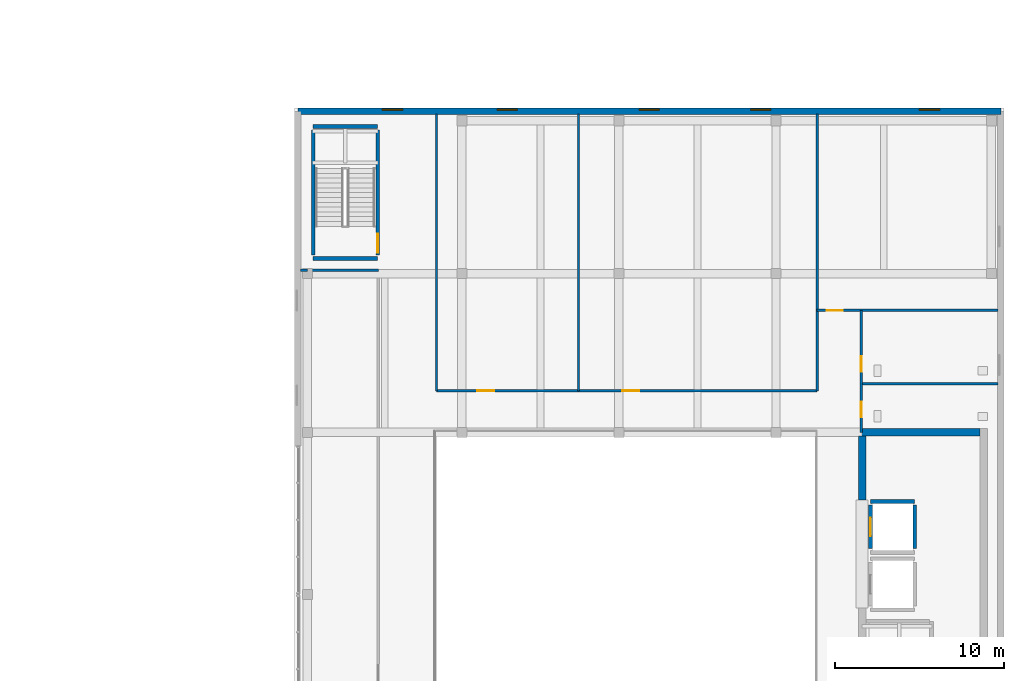
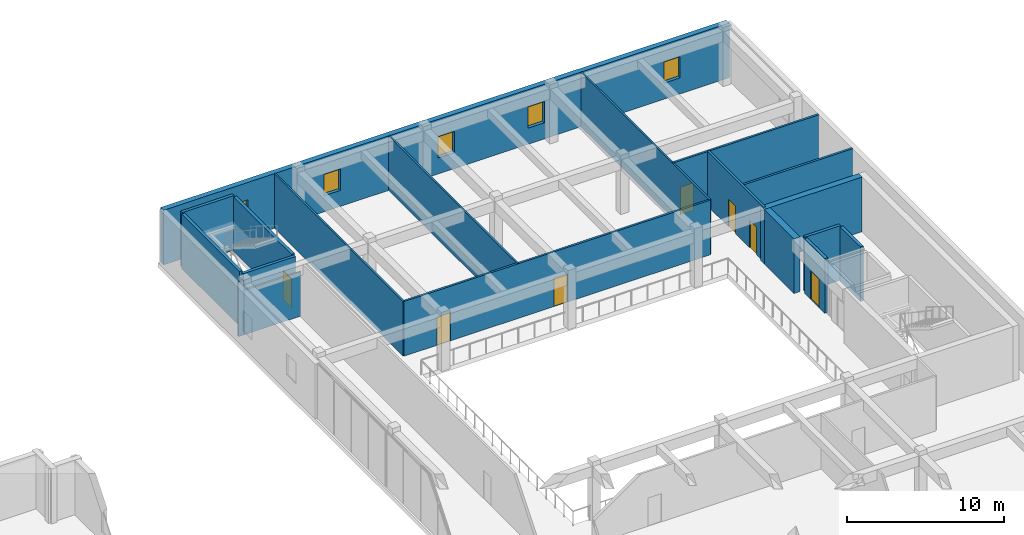
# One storey, part 11 of 24: 19 walls, 7 doors, 5 windows, 12 openings.
"""IFC4 building model written with IfcOpenShell, lengths in metres."""

from ifc_helpers import new_model, si_unit, direction, frame, frame_2d, origin, place, context, subcontext, project, spatial, rectangle, extrude, material, layer, layer_set, type_object, element, fill, save


model = new_model("IFC4")

# Units and contexts
model_context = context("Model", 3, precision=1e-05, world=origin(), true_north=direction((0.0, 1.0)))
body_context = subcontext(model_context, "Body", "Model", "MODEL_VIEW")
ifc_project = project(units=[si_unit("LENGTHUNIT", "METRE"), si_unit("AREAUNIT", "SQUARE_METRE"), si_unit("VOLUMEUNIT", "CUBIC_METRE"), si_unit("PLANEANGLEUNIT", "RADIAN"), si_unit("MASSUNIT", "GRAM", prefix="KILO")], contexts=[model_context])

# Site, building, storey
site_placement = place(None, origin())
site = spatial("IfcSite", under=ifc_project, at=site_placement, CompositionType="ELEMENT")
building_placement = place(site_placement, origin())
building = spatial("IfcBuilding", under=site, at=building_placement, Name="Norrvale University Quadrangle", CompositionType="ELEMENT")
storey_placement = place(building_placement, frame((0.0, 0.0, 15.0)))
storey = spatial("IfcBuildingStorey", under=building, at=storey_placement, Name="L03", CompositionType="ELEMENT", Elevation=15.0)

# Walls
ifc_material_1 = material(Name="Standard Academic Gypsum Partition")
ifc_layer_1 = layer(ifc_material_1, 0.125, Name="Standard Academic Gypsum Partition")
ifc_layer_set_1 = layer_set([ifc_layer_1], Name="Standard Academic Gypsum Partition")
wall_type_1 = type_object("IfcWallType", Name="Wall Gypsum Academic 125", PredefinedType="PARTITIONING", material=ifc_layer_set_1)
wall_1_placement = place(storey_placement, frame((85.550048828125, 48.0, 0.0), z_axis=(0.0, 0.0, 1.0), x_axis=(1.0, 0.0, 0.0)))
element("IfcWall", 1, at=wall_1_placement, inside=storey, type_object=wall_type_1, Name="Interior Partition WL-L03-LWN", PredefinedType="PARTITIONING", context=body_context, shape_type="SweptSolid", body=[
    extrude(rectangle(XDim=0.39990234375, YDim=0.125, at=frame_2d((0.199951171875, 0.0))), origin(), (0.0, 0.0, 1.0), 4.25),
])
wall_2_placement = place(storey_placement, frame((85.949951171875, 48.0, 0.0), z_axis=(0.0, 0.0, 1.0), x_axis=(1.0, 0.0, 0.0)))
element("IfcWall", 2, at=wall_2_placement, inside=storey, type_object=wall_type_1, Name="Interior Partition WL-L03-LWN-B2", PredefinedType="PARTITIONING", context=body_context, shape_type="SweptSolid", body=[
    extrude(rectangle(XDim=4.199951171875, YDim=0.125, at=frame_2d((2.10009765625, 0.0))), origin(), (0.0, 0.0, 1.0), 3.449951171875),
])
for number, where, z_axis, x_axis, name in (
    (3, (93.60009765625, 40.860107421875, 0.0), (0.0, 0.0, 1.0), (0.0, 1.0, 0.0), "Interior Partition WL-L03-LSN-W"),
    (4, (102.0, 40.860107421875, 0.0), (0.0, 0.0, 1.0), (0.0, 1.0, 0.0), "Interior Partition WL-L03-LSN-M"),
    (5, (116.139892578125, 40.860107421875, 0.0), (0.0, 0.0, 1.0), (0.0, 1.0, 0.0), "Interior Partition WL-L03-LSN-E"),
):
    element("IfcWall", number, at=place(storey_placement, frame(where, z_axis=z_axis, x_axis=x_axis)), inside=storey, type_object=wall_type_1, Name=name, PredefinedType="PARTITIONING", context=body_context, shape_type="SweptSolid", body=[
        extrude(rectangle(XDim=16.389892578125, YDim=0.125, at=frame_2d((8.19482421875, 0.0))), origin(), (0.0, 0.0, 1.0), 4.25),
    ])

# Wall, openings, doors
ifc_material_2 = material(Name="Fire-Rated Gypsum Stud Partition")
ifc_layer_2 = layer(ifc_material_2, 0.14990234375, Name="Fire-Rated Gypsum Stud Partition")
ifc_layer_set_2 = layer_set([ifc_layer_2], Name="Fire-Rated Gypsum Stud Partition")
wall_type_2 = type_object("IfcWallType", Name="Wall Gypsum Corridor 150", PredefinedType="PARTITIONING", material=ifc_layer_set_2)
wall_3_placement = place(storey_placement, frame((93.60009765625, 40.860107421875, 0.0), z_axis=(0.0, 0.0, 1.0), x_axis=(1.0, 0.0, 0.0)))
wall_3 = element("IfcWall", 6, at=wall_3_placement, inside=storey, type_object=wall_type_2, Name="Interior Partition WL-L03-LSN-S", PredefinedType="PARTITIONING", context=body_context, shape_type="SweptSolid", body=[
    extrude(rectangle(XDim=22.539794921875, YDim=0.14990234375, at=frame_2d((11.27001953125, 0.0))), origin(), (0.0, 0.0, 1.0), 4.25),
])
opening_1_placement = place(wall_3_placement, frame((2.39990234375, 0.0, 0.0)))
opening_1 = element("IfcOpeningElement", 7, at=opening_1_placement, cuts=wall_3, Name="Opening D04", PredefinedType="OPENING", context=body_context, shape_type="SweptSolid", body=[
    extrude(rectangle(XDim=1.0, YDim=2.199951171875, at=frame_2d((0.5, 1.10009765625))), frame((0.0, 0.0869140625, 0.0), z_axis=(0.0, -1.0, 0.0), x_axis=(1.0, 0.0, 0.0)), (0.0, 0.0, 1.0), 0.173828125),
])
opening_2_placement = place(wall_3_placement, frame((11.0, 0.0, 0.0)))
opening_2 = element("IfcOpeningElement", 8, at=opening_2_placement, cuts=wall_3, Name="Opening D04", PredefinedType="OPENING", context=body_context, shape_type="SweptSolid", body=[
    extrude(rectangle(XDim=1.0, YDim=2.199951171875, at=frame_2d((0.5, 1.10009765625))), frame((0.0, 0.0869140625, 0.0), z_axis=(0.0, -1.0, 0.0), x_axis=(1.0, 0.0, 0.0)), (0.0, 0.0, 1.0), 0.173828125),
])
ifc_material_3 = material(Name="Solid-Core Oak Fire Door", Category="wood")
door_type_1 = type_object("IfcDoorType", Name="Door Corridor 1000x2200", OperationType="NOTDEFINED", PredefinedType="DOOR", material=ifc_material_3)
door_1_placement = place(opening_1_placement, origin())
door_1 = element("IfcDoor", 9, at=door_1_placement, inside=storey, type_object=door_type_1, Name="Door Corridor 1000x2200 DR-L03-LN1", OperationType="SINGLE_SWING_LEFT", OverallHeight=2.199951171875, OverallWidth=1.0, PredefinedType="DOOR", context=body_context, shape_type="SweptSolid", body=[
    extrude(rectangle(XDim=1.0, YDim=2.199951171875, at=frame_2d((0.5, 1.10009765625))), frame((0.0, 0.02490234375, 0.0), z_axis=(0.0, -1.0, 0.0), x_axis=(1.0, 0.0, 0.0)), (0.0, 0.0, 1.0), 0.050048828125),
])
fill(opening_1, door_1)
door_2_placement = place(opening_2_placement, origin())
door_2 = element("IfcDoor", 10, at=door_2_placement, inside=storey, type_object=door_type_1, Name="Door Corridor 1000x2200 DR-L03-LN2", OperationType="SINGLE_SWING_RIGHT", OverallHeight=2.199951171875, OverallWidth=1.0, PredefinedType="DOOR", context=body_context, shape_type="SweptSolid", body=[
    extrude(rectangle(XDim=1.0, YDim=2.199951171875, at=frame_2d((0.5, 1.10009765625))), frame((0.0, 0.02490234375, 0.0), z_axis=(0.0, -1.0, 0.0), x_axis=(1.0, 0.0, 0.0)), (0.0, 0.0, 1.0), 0.050048828125),
])
fill(opening_2, door_2)

# Wall, opening, door
wall_4_placement = place(storey_placement, frame((116.139892578125, 45.6201171875, 0.0), z_axis=(0.0, 0.0, 1.0), x_axis=(1.0, 0.0, 0.0)))
wall_4 = element("IfcWall", 11, at=wall_4_placement, inside=storey, type_object=wall_type_2, Name="Interior Partition WL-L03-LNS-S", PredefinedType="PARTITIONING", context=body_context, shape_type="SweptSolid", body=[
    extrude(rectangle(XDim=10.710205078125, YDim=0.14990234375, at=frame_2d((5.35498046875, 0.0))), origin(), (0.0, 0.0, 1.0), 4.25),
])
opening_3_placement = place(wall_4_placement, frame((0.550048828125, 0.0, 0.0)))
opening_3 = element("IfcOpeningElement", 12, at=opening_3_placement, cuts=wall_4, Name="Opening D07", PredefinedType="OPENING", context=body_context, shape_type="SweptSolid", body=[
    extrude(rectangle(XDim=0.949951171875, YDim=2.14990234375, at=frame_2d((0.47509765625, 1.074951171875))), frame((0.0, 0.0869140625, 0.0), z_axis=(0.0, -1.0, 0.0), x_axis=(1.0, 0.0, 0.0)), (0.0, 0.0, 1.0), 0.173828125),
])
ifc_material_4 = material(Name="Solid-Core Maple Door", Category="wood")
door_type_2 = type_object("IfcDoorType", Name="Door Office 950x2150", OperationType="NOTDEFINED", PredefinedType="DOOR", material=ifc_material_4)
door_3_placement = place(opening_3_placement, origin())
door_3 = element("IfcDoor", 13, at=door_3_placement, inside=storey, type_object=door_type_2, Name="Door Office 950x2150 DR-L03-LNS", OperationType="SINGLE_SWING_LEFT", OverallHeight=2.14990234375, OverallWidth=0.949951171875, PredefinedType="DOOR", context=body_context, shape_type="SweptSolid", body=[
    extrude(rectangle(XDim=0.949951171875, YDim=2.14990234375, at=frame_2d((0.47509765625, 1.074951171875))), frame((0.0, 0.02490234375, 0.0), z_axis=(0.0, -1.0, 0.0), x_axis=(1.0, 0.0, 0.0)), (0.0, 0.0, 1.0), 0.050048828125),
])
fill(opening_3, door_3)

# Wall
ifc_material_5 = material(Name="Sanitary Chase Gypsum Partition")
ifc_layer_3 = layer(ifc_material_5, 0.1650390625, Name="Sanitary Chase Gypsum Partition")
ifc_layer_set_3 = layer_set([ifc_layer_3], Name="Sanitary Chase Gypsum Partition")
wall_type_3 = type_object("IfcWallType", Name="Wall Gypsum Sanitary 165", PredefinedType="PLUMBINGWALL", material=ifc_layer_set_3)
wall_5_placement = place(storey_placement, frame((118.75, 41.280029296875, 0.0), z_axis=(0.0, 0.0, 1.0), x_axis=(1.0, 0.0, 0.0)))
element("IfcWall", 14, at=wall_5_placement, inside=storey, type_object=wall_type_3, Name="Interior Partition WL-L03-LWC-M1", PredefinedType="PLUMBINGWALL", context=body_context, shape_type="SweptSolid", body=[
    extrude(rectangle(XDim=8.10009765625, YDim=0.1650390625, at=frame_2d((4.050048828125, 0.0))), origin(), (0.0, 0.0, 1.0), 4.25),
])

# Wall, openings, doors
wall_6_placement = place(storey_placement, frame((118.75, 38.39990234375, 0.0), z_axis=(0.0, 0.0, 1.0), x_axis=(0.0, 1.0, 0.0)))
wall_6 = element("IfcWall", 15, at=wall_6_placement, inside=storey, type_object=wall_type_3, Name="Interior Partition WL-L03-LWC-W", PredefinedType="PLUMBINGWALL", context=body_context, shape_type="SweptSolid", body=[
    extrude(rectangle(XDim=7.22021484375, YDim=0.1650390625, at=frame_2d((3.610107421875, 0.0))), origin(), (0.0, 0.0, 1.0), 4.25),
])
opening_4_placement = place(wall_6_placement, frame((0.89990234375, 0.0, 0.0)))
opening_4 = element("IfcOpeningElement", 16, at=opening_4_placement, cuts=wall_6, Name="Opening D08", PredefinedType="OPENING", context=body_context, shape_type="SweptSolid", body=[
    extrude(rectangle(XDim=0.919921875, YDim=2.14990234375, at=frame_2d((0.4599609375, 1.074951171875))), frame((0.0, 0.094482421875, 0.0), z_axis=(0.0, -1.0, 0.0), x_axis=(1.0, 0.0, 0.0)), (0.0, 0.0, 1.0), 0.18896484375),
])
opening_5_placement = place(wall_6_placement, frame((3.60009765625, 0.0, 0.0)))
opening_5 = element("IfcOpeningElement", 17, at=opening_5_placement, cuts=wall_6, Name="Opening D08", PredefinedType="OPENING", context=body_context, shape_type="SweptSolid", body=[
    extrude(rectangle(XDim=0.919921875, YDim=2.14990234375, at=frame_2d((0.4599609375, 1.074951171875))), frame((0.0, 0.094482421875, 0.0), z_axis=(0.0, -1.0, 0.0), x_axis=(1.0, 0.0, 0.0)), (0.0, 0.0, 1.0), 0.18896484375),
])
ifc_material_6 = material(Name="Laminate Washroom Door", Category="wood")
door_type_3 = type_object("IfcDoorType", Name="Door Washroom 920x2150", OperationType="NOTDEFINED", PredefinedType="DOOR", material=ifc_material_6)
door_4_placement = place(opening_4_placement, origin())
door_4 = element("IfcDoor", 18, at=door_4_placement, inside=storey, type_object=door_type_3, Name="Door Washroom 920x2150 DR-L03-LWC1", OperationType="SINGLE_SWING_LEFT", OverallHeight=2.14990234375, OverallWidth=0.919921875, PredefinedType="DOOR", context=body_context, shape_type="SweptSolid", body=[
    extrude(rectangle(XDim=0.919921875, YDim=2.14990234375, at=frame_2d((0.4599609375, 1.074951171875))), frame((0.0, 0.02490234375, 0.0), z_axis=(0.0, -1.0, 0.0), x_axis=(1.0, 0.0, 0.0)), (0.0, 0.0, 1.0), 0.050048828125),
])
fill(opening_4, door_4)
door_5_placement = place(opening_5_placement, origin())
door_5 = element("IfcDoor", 19, at=door_5_placement, inside=storey, type_object=door_type_3, Name="Door Washroom 920x2150 DR-L03-LWC2", OperationType="SINGLE_SWING_RIGHT", OverallHeight=2.14990234375, OverallWidth=0.919921875, PredefinedType="DOOR", context=body_context, shape_type="SweptSolid", body=[
    extrude(rectangle(XDim=0.919921875, YDim=2.14990234375, at=frame_2d((0.4599609375, 1.074951171875))), frame((0.0, 0.02490234375, 0.0), z_axis=(0.0, -1.0, 0.0), x_axis=(1.0, 0.0, 0.0)), (0.0, 0.0, 1.0), 0.050048828125),
])
fill(opening_5, door_5)

# Wall, openings, windows
ifc_material_7 = material(Name="Buff Norman Clay Brick Masonry", Category="masonry")
ifc_layer_4 = layer(ifc_material_7, 0.3798828125, Name="Buff Norman Clay Brick Masonry")
ifc_layer_set_4 = layer_set([ifc_layer_4], Name="Buff Norman Clay Brick Masonry")
wall_type_4 = type_object("IfcWallType", Name="Wall Lib Brick 380", PredefinedType="SOLIDWALL", material=ifc_layer_set_4)
wall_7_placement = place(storey_placement, frame((85.389892578125, 57.409912109375, 0.0), z_axis=(0.0, 0.0, 1.0), x_axis=(1.0, 0.0, 0.0)))
wall_7 = element("IfcWall", 20, at=wall_7_placement, inside=storey, type_object=wall_type_4, Name="Central Library North Brick Facade L03", PredefinedType="SOLIDWALL", context=body_context, shape_type="SweptSolid", body=[
    extrude(rectangle(XDim=41.6201171875, YDim=0.3798828125, at=frame_2d((20.81005859375, 0.0))), origin(), (0.0, 0.0, 1.0), 4.25),
])
opening_6_placement = place(wall_7_placement, frame((5.0, 0.0, 1.25)))
opening_6 = element("IfcOpeningElement", 21, at=opening_6_placement, cuts=wall_7, Name="Opening W07", PredefinedType="OPENING", context=body_context, shape_type="SweptSolid", body=[
    extrude(rectangle(XDim=1.199951171875, YDim=1.64990234375, at=frame_2d((0.60009765625, 0.824951171875))), frame((0.0, 0.201904296875, 0.0), z_axis=(0.0, -1.0, 0.0), x_axis=(1.0, 0.0, 0.0)), (0.0, 0.0, 1.0), 0.40380859375),
])
opening_7_placement = place(wall_7_placement, frame((11.800048828125, 0.0, 1.25)))
opening_7 = element("IfcOpeningElement", 22, at=opening_7_placement, cuts=wall_7, Name="Opening W07", PredefinedType="OPENING", context=body_context, shape_type="SweptSolid", body=[
    extrude(rectangle(XDim=1.199951171875, YDim=1.64990234375, at=frame_2d((0.60009765625, 0.824951171875))), frame((0.0, 0.201904296875, 0.0), z_axis=(0.0, -1.0, 0.0), x_axis=(1.0, 0.0, 0.0)), (0.0, 0.0, 1.0), 0.40380859375),
])
opening_8_placement = place(wall_7_placement, frame((20.199951171875, 0.0, 1.25)))
opening_8 = element("IfcOpeningElement", 23, at=opening_8_placement, cuts=wall_7, Name="Opening W07", PredefinedType="OPENING", context=body_context, shape_type="SweptSolid", body=[
    extrude(rectangle(XDim=1.199951171875, YDim=1.64990234375, at=frame_2d((0.60009765625, 0.824951171875))), frame((0.0, 0.201904296875, 0.0), z_axis=(0.0, -1.0, 0.0), x_axis=(1.0, 0.0, 0.0)), (0.0, 0.0, 1.0), 0.40380859375),
])
opening_9_placement = place(wall_7_placement, frame((26.800048828125, 0.0, 1.25)))
opening_9 = element("IfcOpeningElement", 24, at=opening_9_placement, cuts=wall_7, Name="Opening W07", PredefinedType="OPENING", context=body_context, shape_type="SweptSolid", body=[
    extrude(rectangle(XDim=1.199951171875, YDim=1.64990234375, at=frame_2d((0.60009765625, 0.824951171875))), frame((0.0, 0.201904296875, 0.0), z_axis=(0.0, -1.0, 0.0), x_axis=(1.0, 0.0, 0.0)), (0.0, 0.0, 1.0), 0.40380859375),
])
opening_10_placement = place(wall_7_placement, frame((36.800048828125, 0.0, 1.25)))
opening_10 = element("IfcOpeningElement", 25, at=opening_10_placement, cuts=wall_7, Name="Opening W07", PredefinedType="OPENING", context=body_context, shape_type="SweptSolid", body=[
    extrude(rectangle(XDim=1.199951171875, YDim=1.64990234375, at=frame_2d((0.60009765625, 0.824951171875))), frame((0.0, 0.201904296875, 0.0), z_axis=(0.0, -1.0, 0.0), x_axis=(1.0, 0.0, 0.0)), (0.0, 0.0, 1.0), 0.40380859375),
])
ifc_material_8 = material(Name="UV-Filtered Triple Glazing", Category="glass")
window_type = type_object("IfcWindowType", Name="Window Library Stack 1200x1800", PartitioningType="SINGLE_PANEL", PredefinedType="WINDOW", material=ifc_material_8)
window_1_placement = place(opening_6_placement, origin())
window_1 = element("IfcWindow", 26, at=window_1_placement, inside=storey, type_object=window_type, Name="Window Library Stack 1200x1800 WIN-L03-LN-01", OverallHeight=1.64990234375, OverallWidth=1.199951171875, PartitioningType="SINGLE_PANEL", PredefinedType="WINDOW", context=body_context, shape_type="SweptSolid", body=[
    extrude(rectangle(XDim=1.199951171875, YDim=1.64990234375, at=frame_2d((0.60009765625, 0.824951171875))), frame((0.0, 0.110107421875, 0.0), z_axis=(0.0, -1.0, 0.0), x_axis=(1.0, 0.0, 0.0)), (0.0, 0.0, 1.0), 0.06005859375),
])
fill(opening_6, window_1)
window_2_placement = place(opening_7_placement, origin())
window_2 = element("IfcWindow", 27, at=window_2_placement, inside=storey, type_object=window_type, Name="Window Library Stack 1200x1800 WIN-L03-LN-02", OverallHeight=1.64990234375, OverallWidth=1.199951171875, PartitioningType="SINGLE_PANEL", PredefinedType="WINDOW", context=body_context, shape_type="SweptSolid", body=[
    extrude(rectangle(XDim=1.199951171875, YDim=1.64990234375, at=frame_2d((0.60009765625, 0.824951171875))), frame((0.0, 0.110107421875, 0.0), z_axis=(0.0, -1.0, 0.0), x_axis=(1.0, 0.0, 0.0)), (0.0, 0.0, 1.0), 0.06005859375),
])
fill(opening_7, window_2)
window_3_placement = place(opening_8_placement, origin())
window_3 = element("IfcWindow", 28, at=window_3_placement, inside=storey, type_object=window_type, Name="Window Library Stack 1200x1800 WIN-L03-LN-03", OverallHeight=1.64990234375, OverallWidth=1.199951171875, PartitioningType="SINGLE_PANEL", PredefinedType="WINDOW", context=body_context, shape_type="SweptSolid", body=[
    extrude(rectangle(XDim=1.199951171875, YDim=1.64990234375, at=frame_2d((0.60009765625, 0.824951171875))), frame((0.0, 0.110107421875, 0.0), z_axis=(0.0, -1.0, 0.0), x_axis=(1.0, 0.0, 0.0)), (0.0, 0.0, 1.0), 0.06005859375),
])
fill(opening_8, window_3)
window_4_placement = place(opening_9_placement, origin())
window_4 = element("IfcWindow", 29, at=window_4_placement, inside=storey, type_object=window_type, Name="Window Library Stack 1200x1800 WIN-L03-LN-04", OverallHeight=1.64990234375, OverallWidth=1.199951171875, PartitioningType="SINGLE_PANEL", PredefinedType="WINDOW", context=body_context, shape_type="SweptSolid", body=[
    extrude(rectangle(XDim=1.199951171875, YDim=1.64990234375, at=frame_2d((0.60009765625, 0.824951171875))), frame((0.0, 0.110107421875, 0.0), z_axis=(0.0, -1.0, 0.0), x_axis=(1.0, 0.0, 0.0)), (0.0, 0.0, 1.0), 0.06005859375),
])
fill(opening_9, window_4)
window_5_placement = place(opening_10_placement, origin())
window_5 = element("IfcWindow", 30, at=window_5_placement, inside=storey, type_object=window_type, Name="Window Library Stack 1200x1800 WIN-L03-LN-05", OverallHeight=1.64990234375, OverallWidth=1.199951171875, PartitioningType="SINGLE_PANEL", PredefinedType="WINDOW", context=body_context, shape_type="SweptSolid", body=[
    extrude(rectangle(XDim=1.199951171875, YDim=1.64990234375, at=frame_2d((0.60009765625, 0.824951171875))), frame((0.0, 0.110107421875, 0.0), z_axis=(0.0, -1.0, 0.0), x_axis=(1.0, 0.0, 0.0)), (0.0, 0.0, 1.0), 0.06005859375),
])
fill(opening_10, window_5)

# Walls
ifc_material_9 = material(Name="Concrete C60/75", Category="concrete")
ifc_layer_5 = layer(ifc_material_9, 0.449951171875, Name="Concrete C60/75")
ifc_layer_set_5 = layer_set([ifc_layer_5], Name="Concrete C60/75")
wall_type_5 = type_object("IfcWallType", Name="Wall Lib Core 450", PredefinedType="SHEAR", material=ifc_layer_set_5)
wall_8_placement = place(storey_placement, frame((118.574951171875, 38.39990234375, 0.0), z_axis=(0.0, 0.0, 1.0), x_axis=(1.0, 0.0, 0.0)))
element("IfcWall", 31, at=wall_8_placement, inside=storey, type_object=wall_type_5, Name="Library Core Shear Wall L03-N", PredefinedType="SHEAR", context=body_context, shape_type="SweptSolid", body=[
    extrude(rectangle(XDim=7.199951171875, YDim=0.449951171875, at=frame_2d((3.60009765625, 0.0))), origin(), (0.0, 0.0, 1.0), 4.25),
])
wall_9_placement = place(storey_placement, frame((118.800048828125, 34.39990234375, 0.0), z_axis=(0.0, 0.0, 1.0), x_axis=(0.0, 1.0, 0.0)))
element("IfcWall", 32, at=wall_9_placement, inside=storey, type_object=wall_type_5, Name="Library Core Shear Wall L03-W2", PredefinedType="SHEAR", context=body_context, shape_type="SweptSolid", body=[
    extrude(rectangle(XDim=3.775146484375, YDim=0.449951171875, at=frame_2d((1.8876953125, 0.0))), origin(), (0.0, 0.0, 1.0), 4.25),
])
ifc_material_10 = material(Name="Concrete Blockwork 20 MPa Fire Shaft", Category="masonry")
ifc_layer_6 = layer(ifc_material_10, 0.219970703125, Name="Concrete Blockwork 20 MPa Fire Shaft")
ifc_layer_set_6 = layer_set([ifc_layer_6], Name="Concrete Blockwork 20 MPa Fire Shaft")
wall_type_6 = type_object("IfcWallType", Name="Wall Shaft 220", PredefinedType="SOLIDWALL", material=ifc_layer_set_6)
wall_10_placement = place(storey_placement, frame((86.2900390625, 48.909912109375, 0.0), z_axis=(0.0, 0.0, 1.0), x_axis=(0.0, 1.0, 0.0)))
element("IfcWall", 33, at=wall_10_placement, inside=storey, type_object=wall_type_6, Name="Library Stair ST-L3 West Wall L03", PredefinedType="SOLIDWALL", context=body_context, shape_type="SweptSolid", body=[
    extrude(rectangle(XDim=7.380126953125, YDim=0.219970703125, at=frame_2d((3.68994140625, 0.0))), origin(), (0.0, 0.0, 1.0), 4.25),
])
for number, where, z_axis, x_axis, name in (
    (34, (86.2900390625, 48.68994140625, 0.0), (0.0, 0.0, 1.0), (1.0, 0.0, 0.0), "Library Stair ST-L3 South Wall L03"),
    (35, (86.2900390625, 56.510009765625, 0.0), (0.0, 0.0, 1.0), (1.0, 0.0, 0.0), "Library Stair ST-L3 North Wall L03"),
):
    element("IfcWall", number, at=place(storey_placement, frame(where, z_axis=z_axis, x_axis=x_axis)), inside=storey, type_object=wall_type_6, Name=name, PredefinedType="SOLIDWALL", context=body_context, shape_type="SweptSolid", body=[
        extrude(rectangle(XDim=3.820068359375, YDim=0.219970703125, at=frame_2d((1.91015625, 0.0))), origin(), (0.0, 0.0, 1.0), 4.25),
    ])

# Wall, opening, door
wall_11_placement = place(storey_placement, frame((90.110107421875, 48.909912109375, 0.0), z_axis=(0.0, 0.0, 1.0), x_axis=(0.0, 1.0, 0.0)))
wall_11 = element("IfcWall", 36, at=wall_11_placement, inside=storey, type_object=wall_type_6, Name="Library Stair ST-L3 East Wall L03", PredefinedType="SOLIDWALL", context=body_context, shape_type="SweptSolid", body=[
    extrude(rectangle(XDim=7.380126953125, YDim=0.219970703125, at=frame_2d((3.68994140625, 0.0))), origin(), (0.0, 0.0, 1.0), 4.25),
])
opening_11_placement = place(wall_11_placement, frame((0.139892578125, 0.0, 0.0)))
opening_11 = element("IfcOpeningElement", 37, at=opening_11_placement, cuts=wall_11, Name="Opening D02", PredefinedType="OPENING", context=body_context, shape_type="SweptSolid", body=[
    extrude(rectangle(XDim=1.10009765625, YDim=2.199951171875, at=frame_2d((0.550048828125, 1.10009765625))), frame((0.0, 0.1220703125, 0.0), z_axis=(0.0, -1.0, 0.0), x_axis=(1.0, 0.0, 0.0)), (0.0, 0.0, 1.0), 0.243896484375),
])
ifc_material_11 = material(Name="Hollow Steel 350W Fire Door", Category="steel")
door_type_4 = type_object("IfcDoorType", Name="Door Stair Exit 1100x2200", OperationType="NOTDEFINED", PredefinedType="DOOR", material=ifc_material_11)
door_6_placement = place(opening_11_placement, origin())
door_6 = element("IfcDoor", 38, at=door_6_placement, inside=storey, type_object=door_type_4, Name="Door Stair Exit 1100x2200 DR-L03-ST-L3", OperationType="SINGLE_SWING_RIGHT", OverallHeight=2.199951171875, OverallWidth=1.10009765625, PredefinedType="DOOR", context=body_context, shape_type="SweptSolid", body=[
    extrude(rectangle(XDim=1.10009765625, YDim=2.199951171875, at=frame_2d((0.550048828125, 1.10009765625))), frame((0.0, 0.02490234375, 0.0), z_axis=(0.0, -1.0, 0.0), x_axis=(1.0, 0.0, 0.0)), (0.0, 0.0, 1.0), 0.050048828125),
])
fill(opening_11, door_6)

wall_12_placement = place(storey_placement, frame((119.2900390625, 31.510009765625, 0.0), z_axis=(0.0, 0.0, 1.0), x_axis=(0.0, 1.0, 0.0)))
wall_12 = element("IfcWall", 39, at=wall_12_placement, inside=storey, type_object=wall_type_6, Name="Hoistway LL-02 West Wall L03", PredefinedType="SOLIDWALL", context=body_context, shape_type="SweptSolid", body=[
    extrude(rectangle(XDim=2.580078125, YDim=0.219970703125, at=frame_2d((1.2900390625, 0.0))), origin(), (0.0, 0.0, 1.0), 4.25),
])
opening_12_placement = place(wall_12_placement, frame((0.739990234375, 0.0, 0.0)))
opening_12 = element("IfcOpeningElement", 40, at=opening_12_placement, cuts=wall_12, Name="Opening LD1", PredefinedType="OPENING", context=body_context, shape_type="SweptSolid", body=[
    extrude(rectangle(XDim=1.10009765625, YDim=2.199951171875, at=frame_2d((0.550048828125, 1.10009765625))), frame((0.0, 0.1220703125, 0.0), z_axis=(0.0, -1.0, 0.0), x_axis=(1.0, 0.0, 0.0)), (0.0, 0.0, 1.0), 0.243896484375),
])
ifc_material_12 = material(Name="Stainless Steel 316L Lift Landing Door", Category="steel")
door_type_5 = type_object("IfcDoorType", Name="Door Lift Landing 1100x2200", OperationType="DOUBLE_DOOR_SLIDING", PredefinedType="DOOR", material=ifc_material_12)
door_7_placement = place(opening_12_placement, origin())
door_7 = element("IfcDoor", 41, at=door_7_placement, inside=storey, type_object=door_type_5, Name="Elevator Landing Door DR-L03-LL-02", OperationType="DOUBLE_DOOR_SLIDING", OverallHeight=2.199951171875, OverallWidth=1.10009765625, PredefinedType="DOOR", context=body_context, shape_type="SweptSolid", body=[
    extrude(rectangle(XDim=1.10009765625, YDim=2.199951171875, at=frame_2d((0.550048828125, 1.10009765625))), frame((0.0, 0.02490234375, 0.0), z_axis=(0.0, -1.0, 0.0), x_axis=(1.0, 0.0, 0.0)), (0.0, 0.0, 1.0), 0.050048828125),
])
fill(opening_12, door_7)

# Walls
wall_13_placement = place(storey_placement, frame((121.909912109375, 31.510009765625, 0.0), z_axis=(0.0, 0.0, 1.0), x_axis=(0.0, 1.0, 0.0)))
element("IfcWall", 42, at=wall_13_placement, inside=storey, type_object=wall_type_6, Name="Hoistway LL-02 East Wall L03", PredefinedType="SOLIDWALL", context=body_context, shape_type="SweptSolid", body=[
    extrude(rectangle(XDim=2.580078125, YDim=0.219970703125, at=frame_2d((1.2900390625, 0.0))), origin(), (0.0, 0.0, 1.0), 4.25),
])
wall_14_placement = place(storey_placement, frame((119.2900390625, 34.31005859375, 0.0), z_axis=(0.0, 0.0, 1.0), x_axis=(1.0, 0.0, 0.0)))
element("IfcWall", 43, at=wall_14_placement, inside=storey, type_object=wall_type_6, Name="Hoistway LL-02 North Wall L03", PredefinedType="SOLIDWALL", context=body_context, shape_type="SweptSolid", body=[
    extrude(rectangle(XDim=2.619873046875, YDim=0.219970703125, at=frame_2d((1.31005859375, 0.0))), origin(), (0.0, 0.0, 1.0), 4.25),
])

save(model, "model.ifc")
